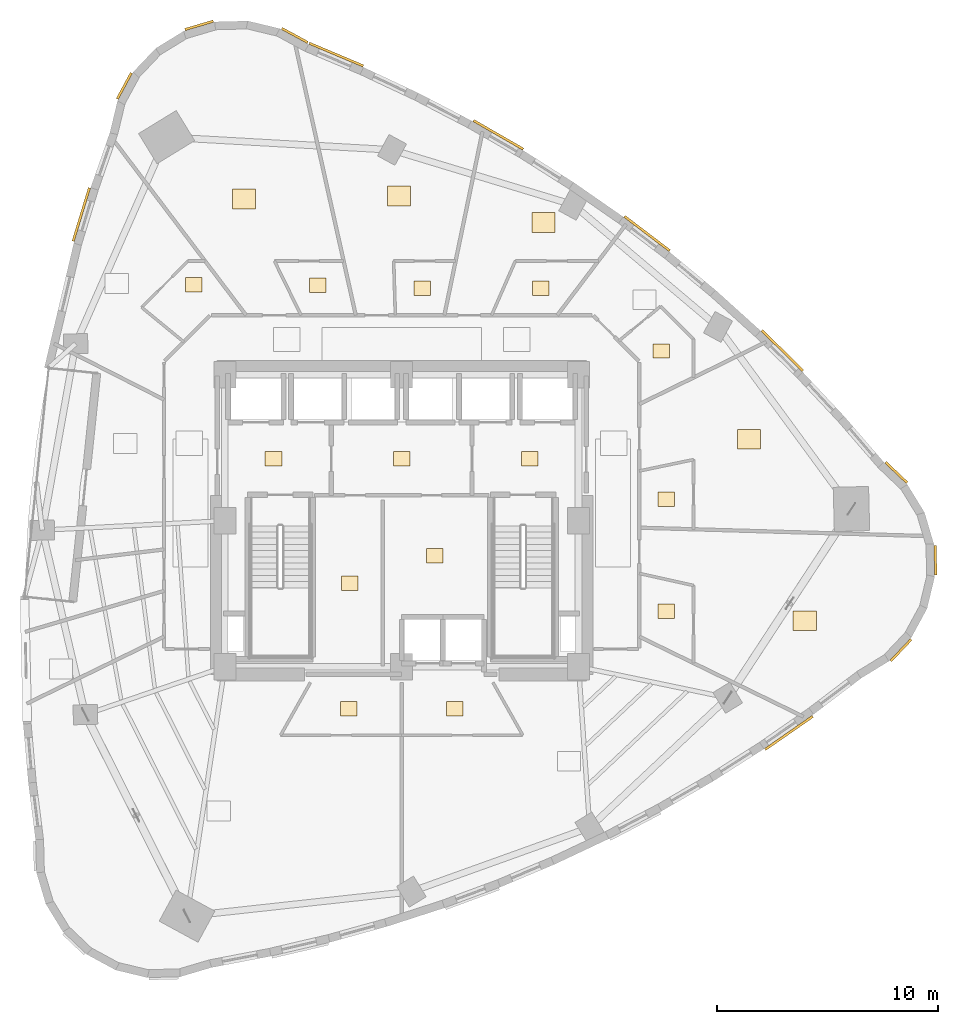
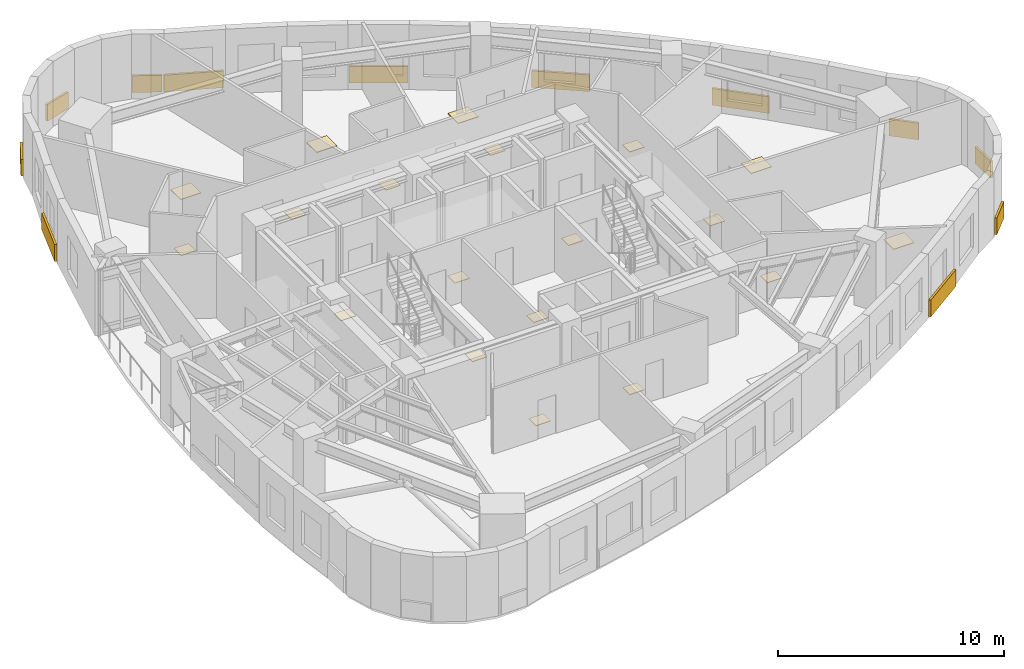
# One storey, part 12 of 12: 31 coverings.
"""IFC4 building model written with IfcOpenShell, lengths in metres."""

from ifc_helpers import new_model, si_unit, direction, frame, origin, origin_2d, place, context, subcontext, project, spatial, rectangle, extrude, material, layer, layer_set, type_object, element, save


model = new_model("IFC4")

# Units and contexts
model_context = context("Model", 3, precision=1e-05, world=origin(), true_north=direction((0.0, 1.0)))
body_context = subcontext(model_context, "Body", "Model", "MODEL_VIEW")
ifc_project = project(units=[si_unit("LENGTHUNIT", "METRE"), si_unit("AREAUNIT", "SQUARE_METRE"), si_unit("VOLUMEUNIT", "CUBIC_METRE"), si_unit("PLANEANGLEUNIT", "RADIAN"), si_unit("MASSUNIT", "GRAM", prefix="KILO")], contexts=[model_context])

# Site, building, storey
site_placement = place(None, origin())
site = spatial("IfcSite", under=ifc_project, at=site_placement, CompositionType="ELEMENT")
building_placement = place(site_placement, origin())
building = spatial("IfcBuilding", under=site, at=building_placement, Name="Ndelora Gate Hotel", CompositionType="ELEMENT")
storey_placement = place(building_placement, frame((0.0, 0.0, 104.75)))
storey = spatial("IfcBuildingStorey", under=building, at=storey_placement, Name="L25", CompositionType="ELEMENT", Elevation=104.75)

# Coverings
ifc_material_1 = material(Name="Terracotta Fired Clay Brick Slip Cladding", Category="masonry")
ifc_layer_1 = layer(ifc_material_1, 0.110107421875)
ifc_layer_set_1 = layer_set([ifc_layer_1], Name="Terracotta Fired Clay Brick Slip Cladding")
covering_type_1 = type_object("IfcCoveringType", Name="COV-CLAD-BRK", PredefinedType="CLADDING", material=ifc_layer_set_1)
for number, where, z_axis, x_axis, name in (
    (1, (-4.835693359375, 21.952880859375, 0.10009765625), (0.0, 0.0, 1.0), (-0.878817112662, 0.47715876026, 0.0), "L25 Rounded-Corner Brick Cladding Band 1"),
    (2, (-9.164306640625, 22.407958984375, 0.10009765625), (0.0, 0.0, 1.0), (0.958819734868, 0.284015344704, 0.0), "L25 Rounded-Corner Brick Cladding Band 4"),
    (3, (-12.54638671875, 19.6689453125, 0.10009765625), (0.0, 0.0, 1.0), (0.47715876026, 0.878817112662, 0.0), "L25 Rounded-Corner Brick Cladding Band 7"),
):
    element("IfcCovering", number, at=place(storey_placement, frame(where, z_axis=z_axis, x_axis=x_axis)), inside=storey, type_object=covering_type_1, Name=name, PredefinedType="CLADDING", context=body_context, shape_type="SweptSolid", body=[
        extrude(rectangle(XDim=1.3359375, YDim=0.110107421875, at=origin_2d()), origin(), (0.0, 0.0, 1.0), 0.89990234375),
    ])
covering_1_placement = place(storey_placement, frame((-14.49365234375, 13.851318359375, 0.10009765625), z_axis=(0.0, 0.0, 1.0), x_axis=(0.291870944669, 0.956457710334, 0.0)))
element("IfcCovering", 4, at=covering_1_placement, inside=storey, type_object=covering_type_1, Name="L25 Rounded-Corner Brick Cladding Band 10", PredefinedType="CLADDING", context=body_context, shape_type="SweptSolid", body=[
    extrude(rectangle(XDim=2.52001953125, YDim=0.110107421875, at=origin_2d()), origin(), (0.0, 0.0, 1.0), 0.89990234375),
])
covering_2_placement = place(storey_placement, frame((17.51708984375, -9.59716796875, 0.10009765625), z_axis=(0.0, 0.0, 1.0), x_axis=(0.820850271661, 0.571143442153, 0.0)))
element("IfcCovering", 5, at=covering_2_placement, inside=storey, type_object=covering_type_1, Name="L25 Rounded-Corner Brick Cladding Band 37", PredefinedType="CLADDING", context=body_context, shape_type="SweptSolid", body=[
    extrude(rectangle(XDim=2.6279296875, YDim=0.110107421875, at=origin_2d()), origin(), (0.0, 0.0, 1.0), 0.89990234375),
])
for number, where, z_axis, x_axis, name in (
    (6, (22.58349609375, -5.854248046875, 0.10009765625), (0.0, 0.0, 1.0), (0.688354575694, 0.725374371012, 0.0), "L25 Rounded-Corner Brick Cladding Band 40"),
    (7, (24.14306640625, -1.791259765625, 0.10009765625), (0.0, 0.0, 1.0), (-0.026176948308, 0.999657324976, 0.0), "L25 Rounded-Corner Brick Cladding Band 43"),
    (8, (22.373046875, 2.184814453125, 0.10009765625), (0.0, 0.0, 1.0), (-0.725374371012, 0.688354575694, 0.0), "L25 Rounded-Corner Brick Cladding Band 46"),
):
    element("IfcCovering", number, at=place(storey_placement, frame(where, z_axis=z_axis, x_axis=x_axis)), inside=storey, type_object=covering_type_1, Name=name, PredefinedType="CLADDING", context=body_context, shape_type="SweptSolid", body=[
        extrude(rectangle(XDim=1.3359375, YDim=0.110107421875, at=origin_2d()), origin(), (0.0, 0.0, 1.0), 0.89990234375),
    ])
covering_3_placement = place(storey_placement, frame((17.223388671875, 7.6953125, 0.10009765625), z_axis=(0.0, 0.0, 1.0), x_axis=(-0.713739602276, 0.700411150784, 0.0)))
element("IfcCovering", 9, at=covering_3_placement, inside=storey, type_object=covering_type_1, Name="L25 Rounded-Corner Brick Cladding Band 49", PredefinedType="CLADDING", context=body_context, shape_type="SweptSolid", body=[
    extrude(rectangle(XDim=2.60791015625, YDim=0.110107421875, at=origin_2d()), origin(), (0.0, 0.0, 1.0), 0.89990234375),
])
covering_4_placement = place(storey_placement, frame((11.1005859375, 12.991455078125, 0.10009765625), z_axis=(0.0, 0.0, 1.0), x_axis=(-0.796318824597, 0.604877119416, 0.0)))
element("IfcCovering", 10, at=covering_4_placement, inside=storey, type_object=covering_type_1, Name="L25 Rounded-Corner Brick Cladding Band 52", PredefinedType="CLADDING", context=body_context, shape_type="SweptSolid", body=[
    extrude(rectangle(XDim=2.580078125, YDim=0.110107421875, at=origin_2d()), origin(), (0.0, 0.0, 1.0), 0.89990234375),
])
covering_5_placement = place(storey_placement, frame((4.373291015625, 17.45556640625, 0.10009765625), z_axis=(0.0, 0.0, 1.0), x_axis=(-0.866635622545, 0.498941577478, 0.0)))
element("IfcCovering", 11, at=covering_5_placement, inside=storey, type_object=covering_type_1, Name="L25 Rounded-Corner Brick Cladding Band 55", PredefinedType="CLADDING", context=body_context, shape_type="SweptSolid", body=[
    extrude(rectangle(XDim=2.593994140625, YDim=0.110107421875, at=origin_2d()), origin(), (0.0, 0.0, 1.0), 0.89990234375),
])
covering_6_placement = place(storey_placement, frame((-2.9580078125, 21.08642578125, 0.10009765625), z_axis=(0.0, 0.0, 1.0), x_axis=(-0.921592390043, 0.388159073855, 0.0)))
element("IfcCovering", 12, at=covering_6_placement, inside=storey, type_object=covering_type_1, Name="L25 Rounded-Corner Brick Cladding Band 58", PredefinedType="CLADDING", context=body_context, shape_type="SweptSolid", body=[
    extrude(rectangle(XDim=2.65087890625, YDim=0.110107421875, at=origin_2d()), origin(), (0.0, 0.0, 1.0), 0.89990234375),
])
ifc_material_2 = material(Name="Engineered Highland Oak Parquet", Category="wood")
ifc_layer_2 = layer(ifc_material_2, 0.030029296875)
ifc_layer_set_2 = layer_set([ifc_layer_2], Name="Engineered Highland Oak Parquet")
covering_type_2 = type_object("IfcCoveringType", Name="COV-FLR-PARQ", PredefinedType="FLOORING", material=ifc_layer_set_2)
for number, where, z_axis, x_axis, name in (
    (13, (18.228271484375, -4.52294921875, 0.0), (0.0, 0.0, 1.0), (1.0, 0.0, 0.0), "L25 Corner Club Suite 2803 Oak Parquet Flooring"),
    (14, (15.706298828125, 3.684814453125, 0.0), (0.0, 0.0, 1.0), (1.0, 0.0, 0.0), "L25 Club King Guest Room 2804 Oak Parquet Flooring"),
    (15, (6.413818359375, 13.495849609375, 0.0), (0.0, 0.0, 1.0), (1.0, 0.0, 0.0), "L25 Club Twin Guest Room 2806 Oak Parquet Flooring"),
    (16, (-0.116455078125, 14.685302734375, 0.0), (0.0, 0.0, 1.0), (1.0, 0.0, 0.0), "L25 Corner Junior Suite 2807 Oak Parquet Flooring"),
    (17, (-7.12890625, 14.55029296875, 0.0), (0.0, 0.0, 1.0), (1.0, 0.0, 0.0), "L25 Club Superior Junior Suite 2808 Oak Parquet Flooring"),
):
    element("IfcCovering", number, at=place(storey_placement, frame(where, z_axis=z_axis, x_axis=x_axis)), inside=storey, type_object=covering_type_2, Name=name, PredefinedType="FLOORING", context=body_context, shape_type="SweptSolid", body=[
        extrude(rectangle(XDim=1.050048828125, YDim=0.89990234375, at=origin_2d()), origin(), (0.0, 0.0, 1.0), 0.030029296875),
    ])
ifc_material_3 = material(Name="Non-Slip Porcelain Wet-Room Tile", Category="ceramic")
ifc_layer_3 = layer(ifc_material_3, 0.02490234375)
ifc_layer_set_3 = layer_set([ifc_layer_3], Name="Non-Slip Porcelain Wet-Room Tile")
covering_type_3 = type_object("IfcCoveringType", Name="COV-FLR-TILE", PredefinedType="FLOORING", material=ifc_layer_set_3)
for number, where, z_axis, x_axis, name in (
    (18, (-5.800048828125, 2.800048828125, 0.0), (0.0, 0.0, 1.0), (1.0, 0.0, 0.0), "L25 Firefighting Lift Lobby West Porcelain Tile Flooring"),
    (19, (5.800048828125, 2.800048828125, 0.0), (0.0, 0.0, 1.0), (1.0, 0.0, 0.0), "L25 Firefighting Lift Lobby East Porcelain Tile Flooring"),
    (20, (0.0, 2.800048828125, 0.0), (0.0, 0.0, 1.0), (1.0, 0.0, 0.0), "L25 Central Passenger Lift Lobby Porcelain Tile Flooring"),
    (21, (-2.35009765625, -2.824951171875, 0.0), (0.0, 0.0, 1.0), (1.0, 0.0, 0.0), "L25 Core Electrical Switchroom Porcelain Tile Flooring"),
    (22, (1.5, -1.574951171875, 0.0), (0.0, 0.0, 1.0), (1.0, 0.0, 0.0), "L25 Central Linen Equipment Store Porcelain Tile Flooring"),
    (23, (-2.3984375, -8.510009765625, 0.0), (0.0, 0.0, 1.0), (1.0, 0.0, 0.0), "L25 En-suite Bathroom 2801 Porcelain Tile Flooring"),
    (24, (2.3984375, -8.510009765625, 0.0), (0.0, 0.0, 1.0), (1.0, 0.0, 0.0), "L25 En-suite Bathroom 2802 Porcelain Tile Flooring"),
    (25, (11.97509765625, -4.08837890625, 0.0), (0.0, 0.0, 1.0), (1.0, 0.0, 0.0), "L25 En-suite Bathroom 2803 Porcelain Tile Flooring"),
    (26, (11.97509765625, 0.97216796875, 0.0), (0.0, 0.0, 1.0), (1.0, 0.0, 0.0), "L25 En-suite Bathroom 2804 Porcelain Tile Flooring"),
    (27, (11.743896484375, 7.6787109375, 0.0), (0.0, 0.0, 1.0), (1.0, 0.0, 0.0), "L25 En-suite Bathroom 2805 Porcelain Tile Flooring"),
    (28, (6.282470703125, 10.52490234375, 0.0), (0.0, 0.0, 1.0), (1.0, 0.0, 0.0), "L25 En-suite Bathroom 2806 Porcelain Tile Flooring"),
    (29, (0.9296875, 10.52490234375, 0.0), (0.0, 0.0, 1.0), (1.0, 0.0, 0.0), "L25 En-suite Bathroom 2807 Porcelain Tile Flooring"),
    (30, (-3.797119140625, 10.650146484375, 0.0), (0.0, 0.0, 1.0), (1.0, 0.0, 0.0), "L25 En-suite Bathroom 2808 Porcelain Tile Flooring"),
    (31, (-9.40625, 10.682861328125, 0.0), (0.0, 0.0, 1.0), (1.0, 0.0, 0.0), "L25 En-suite Bathroom 2809 Porcelain Tile Flooring"),
):
    element("IfcCovering", number, at=place(storey_placement, frame(where, z_axis=z_axis, x_axis=x_axis)), inside=storey, type_object=covering_type_3, Name=name, PredefinedType="FLOORING", context=body_context, shape_type="SweptSolid", body=[
        extrude(rectangle(XDim=0.75, YDim=0.64990234375, at=origin_2d()), origin(), (0.0, 0.0, 1.0), 0.02490234375),
    ])

save(model, "model.ifc")
